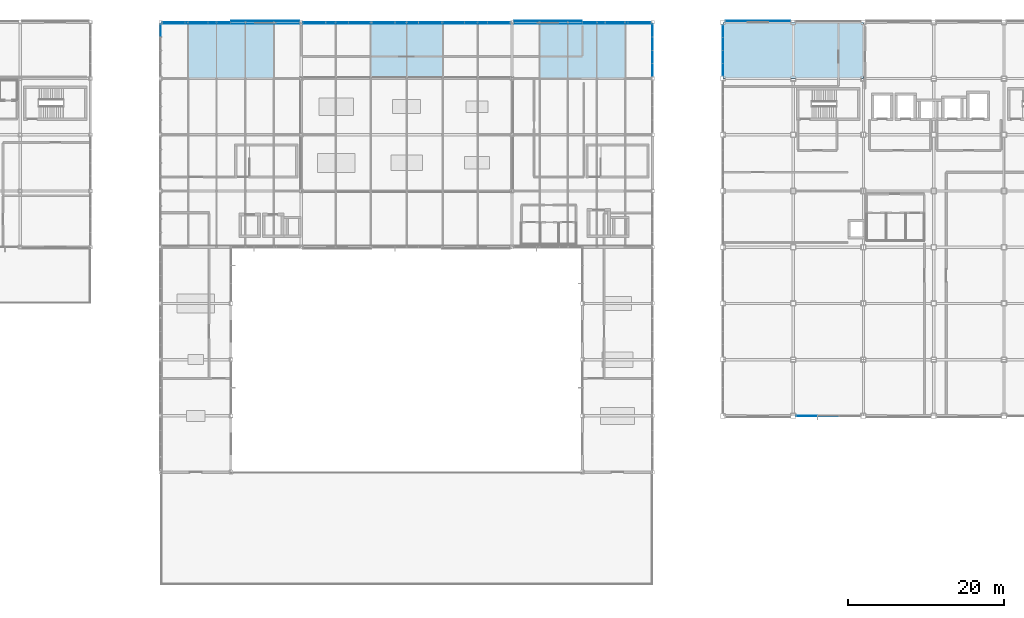
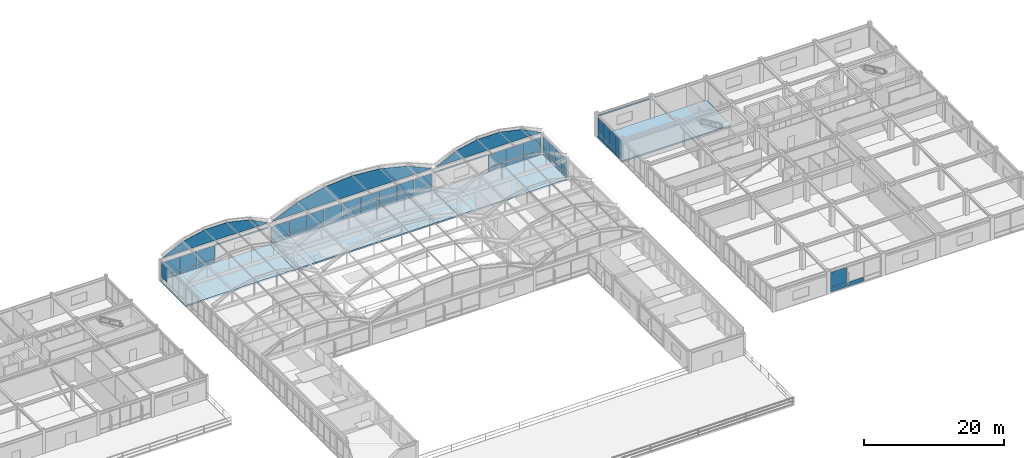
# One storey, part 82 of 106: 56 plates, 4 slabs, 9 elements without a shape of their own.
"""IFC4 building model written with IfcOpenShell, lengths in metres."""

import ifcopenshell
import ifcopenshell.guid

model = None  # the IFC model being written
_history = None  # IfcOwnerHistory: only IFC2X3 demands one
_inside = {}  # id of a spatial element -> (the spatial element, [elements in it])
_under = {}  # id of a project, library or spatial element -> (it, [spatial elements below it])
_declared = {}  # id of a project -> (the project, [libraries it declares])
_typed = {}  # id of a type object -> (the type object, [elements of that type])
_made_of = {}  # id of a material, layer set ... -> (it, [elements and type objects made of it])


def new_model(schema):
    """Start an empty IFC model of exactly this schema.

    Asked for "IFC4X3", IfcOpenShell would pick the latest addendum, in which some entities
    have other attributes; the version numbers below select the first issue.
    IFC2X3 requires an IfcOwnerHistory on every rooted entity: one is made here for all.
    """
    global model, _history
    if schema == "IFC4X3":
        model = ifcopenshell.file(schema_version=(4, 3, 0, 0))
    else:
        model = ifcopenshell.file(schema=schema)
    _inside.clear()
    _under.clear()
    _declared.clear()
    _typed.clear()
    _made_of.clear()
    _history = None
    if model.schema == "IFC2X3":
        org = make("IfcOrganization", Name="unknown")
        user = make(
            "IfcPersonAndOrganization",
            ThePerson=make("IfcPerson", FamilyName="unknown"),
            TheOrganization=org,
        )
        app = make(
            "IfcApplication",
            ApplicationDeveloper=org,
            Version="unknown",
            ApplicationFullName="unknown",
            ApplicationIdentifier="unknown",
        )
        _history = make(
            "IfcOwnerHistory",
            OwningUser=user,
            OwningApplication=app,
            ChangeAction="ADDED",
            CreationDate=0,
        )
    return model


def make(cls, **values):
    """One entity of the class cls with the attributes given. An attribute that is None is left unset."""
    return model.create_entity(
        cls, **{name: value for name, value in values.items() if value is not None}
    )


def rooted(cls, **values):
    """An entity with a GlobalId (a new one), such as an element, a storey or a relation."""
    return make(cls, GlobalId=ifcopenshell.guid.new(), OwnerHistory=_history, **values)


def si_unit(unit_type, name, prefix=None):
    """IfcSIUnit, for example si_unit("LENGTHUNIT", "METRE", prefix="MILLI")."""
    return make("IfcSIUnit", UnitType=unit_type, Prefix=prefix, Name=name)


def assignment(units):
    """IfcUnitAssignment: the units of a project."""
    return None if units is None else make("IfcUnitAssignment", Units=units)


def point(xyz):
    """IfcCartesianPoint."""
    return None if xyz is None else make("IfcCartesianPoint", Coordinates=xyz)


def direction(xyz):
    """IfcDirection."""
    return None if xyz is None else make("IfcDirection", DirectionRatios=xyz)


def frame(location, z_axis=None, x_axis=None):
    """IfcAxis2Placement3D, a coordinate frame: its origin and axes. An axis left out is left unset."""
    return make(
        "IfcAxis2Placement3D",
        Location=point(location),
        Axis=direction(z_axis),
        RefDirection=direction(x_axis),
    )


def frame_2d(location, x_axis=None):
    """IfcAxis2Placement2D, a coordinate frame in the plane: its origin and x axis."""
    return make(
        "IfcAxis2Placement2D", Location=point(location), RefDirection=direction(x_axis)
    )


def origin():
    """The frame at (0, 0, 0) with its axes left unset."""
    return frame((0.0, 0.0, 0.0))


def origin_2d():
    """The frame at (0, 0) in the plane with its x axis left unset."""
    return frame_2d((0.0, 0.0))


def place(relative_to, where):
    """IfcLocalPlacement: puts the frame where relative to a parent placement (None: the world)."""
    return make(
        "IfcLocalPlacement", PlacementRelTo=relative_to, RelativePlacement=where
    )


def context(
    kind, dimensions, precision=None, world=None, true_north=None, identifier=None
):
    """IfcGeometricRepresentationContext, for example the 3D "Model" context."""
    return make(
        "IfcGeometricRepresentationContext",
        ContextIdentifier=identifier,
        ContextType=kind,
        CoordinateSpaceDimension=dimensions,
        Precision=precision,
        WorldCoordinateSystem=world,
        TrueNorth=true_north,
    )


def subcontext(parent, identifier, kind, view, scale=None):
    """IfcGeometricRepresentationSubContext, for example "Body" below "Model"."""
    return make(
        "IfcGeometricRepresentationSubContext",
        ContextIdentifier=identifier,
        ContextType=kind,
        ParentContext=parent,
        TargetScale=scale,
        TargetView=view,
    )


def project(units=None, contexts=None):
    """IfcProject with its units and contexts."""
    return rooted(
        "IfcProject",
        Name="project",
        RepresentationContexts=contexts,
        UnitsInContext=assignment(units),
    )


def spatial(cls, under=None, at=None, **own):
    """A site, building, storey or space (cls), placed at a placement, below another one or the project."""
    s = rooted(cls, ObjectPlacement=at, **own)
    if under is not None:
        _under.setdefault(under.id(), (under, []))[1].append(s)
    return s


def polyline(points):
    """IfcPolyline through the points."""
    return make("IfcPolyline", Points=[point(p) for p in points])


def profile(cls, at=None, kind="AREA", **sizes):
    """A parametric profile (cls). Its sizes go by their IFC names, for example OverallWidth=200.0."""
    return make(cls, ProfileType=kind, Position=at, **sizes)


def rectangle(**sizes):
    """IfcRectangleProfileDef."""
    return profile("IfcRectangleProfileDef", **sizes)


def outline(outer, holes=None, kind="AREA"):
    """IfcArbitraryClosedProfileDef: a profile drawn as a closed curve; with holes, ...WithVoids."""
    if holes is None:
        return make("IfcArbitraryClosedProfileDef", ProfileType=kind, OuterCurve=outer)
    return make(
        "IfcArbitraryProfileDefWithVoids",
        ProfileType=kind,
        OuterCurve=outer,
        InnerCurves=holes,
    )


def extrude(swept, where, along, depth):
    """IfcExtrudedAreaSolid: the profile swept, set in the frame where, extruded along a direction by depth."""
    return make(
        "IfcExtrudedAreaSolid",
        SweptArea=swept,
        Position=where,
        ExtrudedDirection=direction(along),
        Depth=depth,
    )


def shape(context_of_items, identifier, shape_type, items):
    """IfcShapeRepresentation: the items that make up one representation, for example the "Body"."""
    return make(
        "IfcShapeRepresentation",
        ContextOfItems=context_of_items,
        RepresentationIdentifier=identifier,
        RepresentationType=shape_type,
        Items=items,
    )


def material(Name=None, Category=None):
    """IfcMaterial."""
    return make("IfcMaterial", Name=Name, Category=Category)


def layer(
    of_material, thickness, ventilated=None, Name=None, Category=None, Priority=None
):
    """IfcMaterialLayer: one layer of a wall or slab, of a material (None: an air gap)."""
    return make(
        "IfcMaterialLayer",
        Material=of_material,
        LayerThickness=thickness,
        IsVentilated=ventilated,
        Name=Name,
        Category=Category,
        Priority=Priority,
    )


def layer_set(layers, Name=None):
    """IfcMaterialLayerSet."""
    return make("IfcMaterialLayerSet", MaterialLayers=layers, LayerSetName=Name)


def made_of(thing, what):
    """Note that an element or type object is made of a material, layer set ...; save() writes the relation."""
    if what is not None:
        _made_of.setdefault(what.id(), (what, []))[1].append(thing)
    return thing


def type_object(cls, material=None, **own):
    """A type object (cls), such as IfcWallType, which elements share."""
    return made_of(rooted(cls, **own), material)


def element(
    cls,
    number,
    at=None,
    inside=None,
    cuts=None,
    type_object=None,
    material=None,
    context=None,
    identifier="Body",
    shape_type=None,
    held_by="IfcProductDefinitionShape",
    body=None,
    shapes=None,
    **own,
):
    """One element of the class cls, such as IfcWall. Its Tag is "e" and its number.

    at: its placement. inside: the storey or other place that contains it. cuts: it is an
    opening in that element (IfcRelVoidsElement). A single representation is given by context,
    identifier, shape_type and body (its items); several are given by shapes. held_by: the class
    of the entity that holds the representations. save() writes the other relations.
    """
    e = rooted(cls, Tag="e%d" % number, ObjectPlacement=at, **own)
    if body is not None:
        shapes = [shape(context, identifier, shape_type, body)]
    if shapes is not None:
        e.Representation = make(held_by, Representations=shapes)
    if inside is not None:
        _inside.setdefault(inside.id(), (inside, []))[1].append(e)
    if cuts is not None:
        rooted(
            "IfcRelVoidsElement", RelatingBuildingElement=cuts, RelatedOpeningElement=e
        )
    if type_object is not None:
        _typed.setdefault(type_object.id(), (type_object, []))[1].append(e)
    return made_of(e, material)


def aggregate(whole, parts):
    """IfcRelAggregates: a whole, such as a stair, and the parts it consists of."""
    return rooted("IfcRelAggregates", RelatingObject=whole, RelatedObjects=parts)


def save(model, path):
    """Write the relations noted so far, then the file.

    IfcRelAggregates (storeys below a building ...), IfcRelContainedInSpatialStructure (elements
    in a storey), IfcRelDefinesByType, IfcRelAssociatesMaterial and IfcRelDeclares: one each for
    every whole, place, type object, material and project.
    """
    for whole, parts in _under.values():
        aggregate(whole, parts)
    for where, things in _inside.values():
        rooted(
            "IfcRelContainedInSpatialStructure",
            RelatedElements=things,
            RelatingStructure=where,
        )
    for kind, things in _typed.values():
        rooted("IfcRelDefinesByType", RelatedObjects=things, RelatingType=kind)
    for what, things in _made_of.values():
        rooted("IfcRelAssociatesMaterial", RelatedObjects=things, RelatingMaterial=what)
    for by, libraries in _declared.values():
        rooted("IfcRelDeclares", RelatingContext=by, RelatedDefinitions=libraries)
    model.write(path)


model = new_model("IFC4")

# Units and contexts
model_context = context("Model", 3, precision=1e-05, world=origin(), true_north=direction((0.0, 1.0)))
body_context = subcontext(model_context, "Body", "Model", "MODEL_VIEW")
ifc_project = project(units=[si_unit("LENGTHUNIT", "METRE"), si_unit("AREAUNIT", "SQUARE_METRE"), si_unit("VOLUMEUNIT", "CUBIC_METRE"), si_unit("PLANEANGLEUNIT", "RADIAN"), si_unit("MASSUNIT", "GRAM", prefix="KILO")], contexts=[model_context])

# Site, building, storey
site_placement = place(None, origin())
site = spatial("IfcSite", under=ifc_project, at=site_placement, CompositionType="ELEMENT")
building_placement = place(site_placement, origin())
building = spatial("IfcBuilding", under=site, at=building_placement, Name="Kazanami Central Library", CompositionType="ELEMENT")
storey_placement = place(building_placement, frame((0.0, 0.0, 12.800048828125)))
storey = spatial("IfcBuildingStorey", under=building, at=storey_placement, Name="L04", CompositionType="ELEMENT", Elevation=12.800048828125)

# Plates
ifc_material_1 = material(Name="Acid-Etched Low-E Laminated Glass", Category="glass")
ifc_layer_1 = layer(ifc_material_1, 0.028076171875, Name="Acid-Etched Low-E Laminated Glass")
ifc_layer_set_1 = layer_set([ifc_layer_1], Name="Acid-Etched Low-E Laminated Glass")
plate_type_1 = type_object("IfcPlateType", Name="PLT-BVG-28", PredefinedType="SHEET", material=ifc_layer_set_1)
plate_1_placement = place(storey_placement, frame((45.25, 93.409912109375, 4.0), z_axis=(0.0, -1.0, 0.0), x_axis=(1.0, 0.0, 0.0)))
element("IfcPlate", 1, at=plate_1_placement, inside=storey, type_object=plate_type_1, Name="Glazed Barrel Vault Gable Tympanum VAULT-WEST (North)", PredefinedType="SHEET", context=body_context, shape_type="SweptSolid", body=[
    extrude(outline(polyline([(0.0, 0.0), (17.5, 0.0), (14.172119140625, 1.65380859375), (10.58642578125, 2.449462890625), (6.91357421875, 2.449462890625), (3.327880859375, 1.65380859375), (0.0, 0.0)])), origin(), (0.0, 0.0, -1.0), 0.028076171875),
])
plate_2_placement = place(storey_placement, frame((63.25, 93.409912109375, 4.0), z_axis=(0.0, -1.0, 0.0), x_axis=(1.0, 0.0, 0.0)))
element("IfcPlate", 2, at=plate_2_placement, inside=storey, type_object=plate_type_1, Name="Glazed Barrel Vault Gable Tympanum VAULT-MAIN (North)", PredefinedType="SHEET", context=body_context, shape_type="SweptSolid", body=[
    extrude(outline(polyline([(0.0, 0.0), (26.5, 0.0), (22.27685546875, 1.889892578125), (17.822021484375, 2.982666015625), (13.25, 3.349853515625), (8.677978515625, 2.982666015625), (4.22314453125, 1.889892578125), (0.0, 0.0)])), origin(), (0.0, 0.0, -1.0), 0.028076171875),
])
plate_3_placement = place(storey_placement, frame((90.25, 93.409912109375, 4.0), z_axis=(0.0, -1.0, 0.0), x_axis=(1.0, 0.0, 0.0)))
element("IfcPlate", 3, at=plate_3_placement, inside=storey, type_object=plate_type_1, Name="Glazed Barrel Vault Gable Tympanum VAULT-EAST (North)", PredefinedType="SHEET", context=body_context, shape_type="SweptSolid", body=[
    extrude(outline(polyline([(0.0, 0.0), (17.5, 0.0), (14.172119140625, 1.65380859375), (10.58642578125, 2.449462890625), (6.91357421875, 2.449462890625), (3.327880859375, 1.65380859375), (0.0, 0.0)])), origin(), (0.0, 0.0, -1.0), 0.028076171875),
])

# Curtain wall, plate
curtain_wall_type_1 = type_object("IfcCurtainWallType", Name="CW-8350x3525-M275", PredefinedType="USERDEFINED", material=ifc_material_1)
curtain_wall_1_placement = place(storey_placement, origin())
curtain_wall_1 = element("IfcCurtainWall", 4, at=curtain_wall_1_placement, inside=storey, type_object=curtain_wall_type_1, Name="Unitised Curtain Wall CW-37 L04 S-G-14", ObjectType="UNITISED CURTAIN WALL", PredefinedType="USERDEFINED")
ifc_layer_2 = layer(ifc_material_1, 0.035888671875, Name="Acid-Etched Low-E Laminated Glass")
ifc_layer_set_2 = layer_set([ifc_layer_2], Name="Acid-Etched Low-E Laminated Glass")
plate_type_2 = type_object("IfcPlateType", Name="PLT-CW-P1", PredefinedType="CURTAIN_PANEL", material=ifc_layer_set_2)
plate_4_placement = place(storey_placement, frame((127.73291015625, 43.199951171875, 0.8125), z_axis=(0.0, 0.0, 1.0), x_axis=(1.0, 0.0, 0.0)))
plate_4 = element("IfcPlate", 5, at=plate_4_placement, type_object=plate_type_2, Name="CW-37 panel 1.2", PredefinedType="CURTAIN_PANEL", context=body_context, shape_type="SweptSolid", body=[
    extrude(rectangle(XDim=2.685791015625, YDim=0.035888671875, at=origin_2d()), origin(), (0.0, 0.0, 1.0), 2.6474609375),
])

# Curtain wall, plates
curtain_wall_type_2 = type_object("IfcCurtainWallType", Name="CW-9000x3080-M275", PredefinedType="USERDEFINED", material=ifc_material_1)
curtain_wall_2_placement = place(storey_placement, origin())
curtain_wall_2 = element("IfcCurtainWall", 6, at=curtain_wall_2_placement, inside=storey, type_object=curtain_wall_type_2, Name="Unitised Curtain Wall CW-41 L04 N-O-08", ObjectType="UNITISED CURTAIN WALL", PredefinedType="USERDEFINED")
plate_5_placement = place(storey_placement, frame((79.482421875, 93.60009765625, 0.81494140625), z_axis=(0.0, 0.0, 1.0), x_axis=(-1.0, 0.0, 0.0)))
plate_5 = element("IfcPlate", 7, at=plate_5_placement, type_object=plate_type_2, Name="CW-41 panel 1.2", PredefinedType="CURTAIN_PANEL", context=body_context, shape_type="SweptSolid", body=[
    extrude(rectangle(XDim=2.89501953125, YDim=0.035888671875, at=origin_2d()), origin(), (0.0, 0.0, 1.0), 2.195068359375),
])
plate_6_placement = place(storey_placement, frame((76.5, 93.60009765625, 0.81494140625), z_axis=(0.0, 0.0, 1.0), x_axis=(-1.0, 0.0, 0.0)))
plate_6 = element("IfcPlate", 8, at=plate_6_placement, type_object=plate_type_2, Name="CW-41 panel 2.2", PredefinedType="CURTAIN_PANEL", context=body_context, shape_type="SweptSolid", body=[
    extrude(rectangle(XDim=2.929931640625, YDim=0.035888671875, at=origin_2d()), origin(), (0.0, 0.0, 1.0), 2.195068359375),
])
plate_7_placement = place(storey_placement, frame((73.517578125, 93.60009765625, 0.81494140625), z_axis=(0.0, 0.0, 1.0), x_axis=(-1.0, 0.0, 0.0)))
plate_7 = element("IfcPlate", 9, at=plate_7_placement, type_object=plate_type_2, Name="CW-41 panel 3.2", PredefinedType="CURTAIN_PANEL", context=body_context, shape_type="SweptSolid", body=[
    extrude(rectangle(XDim=2.89501953125, YDim=0.035888671875, at=origin_2d()), origin(), (0.0, 0.0, 1.0), 2.195068359375),
])

curtain_wall_type_3 = type_object("IfcCurtainWallType", Name="CW-8800x3080-M275", PredefinedType="USERDEFINED", material=ifc_material_1)
curtain_wall_3_placement = place(storey_placement, origin())
curtain_wall_3 = element("IfcCurtainWall", 10, at=curtain_wall_3_placement, inside=storey, type_object=curtain_wall_type_3, Name="Unitised Curtain Wall CW-42 L04 N-O-05", ObjectType="UNITISED CURTAIN WALL", PredefinedType="USERDEFINED")
ifc_layer_3 = layer(ifc_material_1, 0.0439453125, Name="Acid-Etched Low-E Laminated Glass")
ifc_layer_set_3 = layer_set([ifc_layer_3], Name="Acid-Etched Low-E Laminated Glass")
plate_type_3 = type_object("IfcPlateType", Name="PLT-CW-P2", PredefinedType="CURTAIN_PANEL", material=ifc_layer_set_3)
plate_8_placement = place(storey_placement, frame((52.515869140625, 93.60009765625, 0.81494140625), z_axis=(0.0, 0.0, 1.0), x_axis=(-1.0, 0.0, 0.0)))
plate_8 = element("IfcPlate", 11, at=plate_8_placement, type_object=plate_type_3, Name="CW-42 panel 1.2", PredefinedType="CURTAIN_PANEL", context=body_context, shape_type="SweptSolid", body=[
    extrude(rectangle(XDim=2.828369140625, YDim=0.0439453125, at=origin_2d()), origin(), (0.0, 0.0, 1.0), 2.195068359375),
])
plate_9_placement = place(storey_placement, frame((49.60009765625, 93.60009765625, 0.81494140625), z_axis=(0.0, 0.0, 1.0), x_axis=(-1.0, 0.0, 0.0)))
plate_9 = element("IfcPlate", 12, at=plate_9_placement, type_object=plate_type_3, Name="CW-42 panel 2.2", PredefinedType="CURTAIN_PANEL", context=body_context, shape_type="SweptSolid", body=[
    extrude(rectangle(XDim=2.86328125, YDim=0.0439453125, at=origin_2d()), origin(), (0.0, 0.0, 1.0), 2.195068359375),
])
plate_10_placement = place(storey_placement, frame((46.68408203125, 93.60009765625, 0.81494140625), z_axis=(0.0, 0.0, 1.0), x_axis=(-1.0, 0.0, 0.0)))
plate_10 = element("IfcPlate", 13, at=plate_10_placement, type_object=plate_type_3, Name="CW-42 panel 3.2", PredefinedType="CURTAIN_PANEL", context=body_context, shape_type="SweptSolid", body=[
    extrude(rectangle(XDim=2.828369140625, YDim=0.0439453125, at=origin_2d()), origin(), (0.0, 0.0, 1.0), 2.195068359375),
])

curtain_wall_4_placement = place(storey_placement, origin())
curtain_wall_4 = element("IfcCurtainWall", 14, at=curtain_wall_4_placement, inside=storey, type_object=curtain_wall_type_3, Name="Unitised Curtain Wall CW-42 L04 N-O-07", ObjectType="UNITISED CURTAIN WALL", PredefinedType="USERDEFINED")
plate_11_placement = place(storey_placement, frame((70.515869140625, 93.60009765625, 0.81494140625), z_axis=(0.0, 0.0, 1.0), x_axis=(-1.0, 0.0, 0.0)))
plate_11 = element("IfcPlate", 15, at=plate_11_placement, type_object=plate_type_3, Name="CW-42 panel 1.2", PredefinedType="CURTAIN_PANEL", context=body_context, shape_type="SweptSolid", body=[
    extrude(rectangle(XDim=2.828369140625, YDim=0.0439453125, at=origin_2d()), origin(), (0.0, 0.0, 1.0), 2.195068359375),
])
plate_12_placement = place(storey_placement, frame((67.60009765625, 93.60009765625, 0.81494140625), z_axis=(0.0, 0.0, 1.0), x_axis=(-1.0, 0.0, 0.0)))
plate_12 = element("IfcPlate", 16, at=plate_12_placement, type_object=plate_type_3, Name="CW-42 panel 2.2", PredefinedType="CURTAIN_PANEL", context=body_context, shape_type="SweptSolid", body=[
    extrude(rectangle(XDim=2.86328125, YDim=0.0439453125, at=origin_2d()), origin(), (0.0, 0.0, 1.0), 2.195068359375),
])
plate_13_placement = place(storey_placement, frame((64.68408203125, 93.60009765625, 0.81494140625), z_axis=(0.0, 0.0, 1.0), x_axis=(-1.0, 0.0, 0.0)))
plate_13 = element("IfcPlate", 17, at=plate_13_placement, type_object=plate_type_3, Name="CW-42 panel 3.2", PredefinedType="CURTAIN_PANEL", context=body_context, shape_type="SweptSolid", body=[
    extrude(rectangle(XDim=2.828369140625, YDim=0.0439453125, at=origin_2d()), origin(), (0.0, 0.0, 1.0), 2.195068359375),
])

curtain_wall_5_placement = place(storey_placement, origin())
curtain_wall_5 = element("IfcCurtainWall", 18, at=curtain_wall_5_placement, inside=storey, type_object=curtain_wall_type_3, Name="Unitised Curtain Wall CW-42 L04 N-O-09", ObjectType="UNITISED CURTAIN WALL", PredefinedType="USERDEFINED")
plate_14_placement = place(storey_placement, frame((88.31591796875, 93.60009765625, 0.81494140625), z_axis=(0.0, 0.0, 1.0), x_axis=(-1.0, 0.0, 0.0)))
plate_14 = element("IfcPlate", 19, at=plate_14_placement, type_object=plate_type_3, Name="CW-42 panel 1.2", PredefinedType="CURTAIN_PANEL", context=body_context, shape_type="SweptSolid", body=[
    extrude(rectangle(XDim=2.828369140625, YDim=0.0439453125, at=origin_2d()), origin(), (0.0, 0.0, 1.0), 2.195068359375),
])
plate_15_placement = place(storey_placement, frame((85.39990234375, 93.60009765625, 0.81494140625), z_axis=(0.0, 0.0, 1.0), x_axis=(-1.0, 0.0, 0.0)))
plate_15 = element("IfcPlate", 20, at=plate_15_placement, type_object=plate_type_3, Name="CW-42 panel 2.2", PredefinedType="CURTAIN_PANEL", context=body_context, shape_type="SweptSolid", body=[
    extrude(rectangle(XDim=2.86328125, YDim=0.0439453125, at=origin_2d()), origin(), (0.0, 0.0, 1.0), 2.195068359375),
])
plate_16_placement = place(storey_placement, frame((82.484130859375, 93.60009765625, 0.81494140625), z_axis=(0.0, 0.0, 1.0), x_axis=(-1.0, 0.0, 0.0)))
plate_16 = element("IfcPlate", 21, at=plate_16_placement, type_object=plate_type_3, Name="CW-42 panel 3.2", PredefinedType="CURTAIN_PANEL", context=body_context, shape_type="SweptSolid", body=[
    extrude(rectangle(XDim=2.828369140625, YDim=0.0439453125, at=origin_2d()), origin(), (0.0, 0.0, 1.0), 2.195068359375),
])

curtain_wall_6_placement = place(storey_placement, origin())
curtain_wall_6 = element("IfcCurtainWall", 22, at=curtain_wall_6_placement, inside=storey, type_object=curtain_wall_type_3, Name="Unitised Curtain Wall CW-42 L04 N-O-11", ObjectType="UNITISED CURTAIN WALL", PredefinedType="USERDEFINED")
plate_17_placement = place(storey_placement, frame((106.31591796875, 93.60009765625, 0.81494140625), z_axis=(0.0, 0.0, 1.0), x_axis=(-1.0, 0.0, 0.0)))
plate_17 = element("IfcPlate", 23, at=plate_17_placement, type_object=plate_type_3, Name="CW-42 panel 1.2", PredefinedType="CURTAIN_PANEL", context=body_context, shape_type="SweptSolid", body=[
    extrude(rectangle(XDim=2.828369140625, YDim=0.0439453125, at=origin_2d()), origin(), (0.0, 0.0, 1.0), 2.195068359375),
])
plate_18_placement = place(storey_placement, frame((103.39990234375, 93.60009765625, 0.81494140625), z_axis=(0.0, 0.0, 1.0), x_axis=(-1.0, 0.0, 0.0)))
plate_18 = element("IfcPlate", 24, at=plate_18_placement, type_object=plate_type_3, Name="CW-42 panel 2.2", PredefinedType="CURTAIN_PANEL", context=body_context, shape_type="SweptSolid", body=[
    extrude(rectangle(XDim=2.86328125, YDim=0.0439453125, at=origin_2d()), origin(), (0.0, 0.0, 1.0), 2.195068359375),
])
plate_19_placement = place(storey_placement, frame((100.484130859375, 93.60009765625, 0.81494140625), z_axis=(0.0, 0.0, 1.0), x_axis=(-1.0, 0.0, 0.0)))
plate_19 = element("IfcPlate", 25, at=plate_19_placement, type_object=plate_type_3, Name="CW-42 panel 3.2", PredefinedType="CURTAIN_PANEL", context=body_context, shape_type="SweptSolid", body=[
    extrude(rectangle(XDim=2.828369140625, YDim=0.0439453125, at=origin_2d()), origin(), (0.0, 0.0, 1.0), 2.195068359375),
])

# Curtain wall, plate
curtain_wall_type_4 = type_object("IfcCurtainWallType", Name="CW-6800x3330-M180", PredefinedType="USERDEFINED", material=ifc_material_1)
curtain_wall_7_placement = place(storey_placement, origin())
curtain_wall_7 = element("IfcCurtainWall", 26, at=curtain_wall_7_placement, inside=storey, type_object=curtain_wall_type_4, Name="Covered Link Bridge Curtain Wall CW-44 L04 W-6-12", ObjectType="UNITISED CURTAIN WALL", PredefinedType="USERDEFINED")
ifc_material_2 = material(Name="Low-E Insulated Triple Glass", Category="glass")
ifc_layer_4 = layer(ifc_material_2, 0.0400390625, Name="Low-E Insulated Triple Glass")
ifc_layer_set_4 = layer_set([ifc_layer_4], Name="Low-E Insulated Triple Glass")
plate_type_4 = type_object("IfcPlateType", Name="PLT-CW-P3", PredefinedType="CURTAIN_PANEL", material=ifc_layer_set_4)
plate_20_placement = place(storey_placement, frame((45.0, 92.532470703125, 0.81494140625), z_axis=(0.0, 0.0, 1.0), x_axis=(0.0, 1.0, 0.0)))
plate_20 = element("IfcPlate", 27, at=plate_20_placement, type_object=plate_type_4, Name="CW-44 panel 4.2", PredefinedType="CURTAIN_PANEL", context=body_context, shape_type="SweptSolid", body=[
    extrude(rectangle(XDim=1.594970703125, YDim=0.0400390625, at=origin_2d()), origin(), (0.0, 0.0, 1.0), 2.445068359375),
])
aggregate(curtain_wall_7, [plate_20])

# Curtain wall, plates
curtain_wall_8_placement = place(storey_placement, origin())
curtain_wall_8 = element("IfcCurtainWall", 28, at=curtain_wall_8_placement, inside=storey, type_object=curtain_wall_type_4, Name="Covered Link Bridge Curtain Wall CW-44 L04 E-13-12", ObjectType="UNITISED CURTAIN WALL", PredefinedType="USERDEFINED")
plate_21_placement = place(storey_placement, frame((108.0, 92.532470703125, 0.81494140625), z_axis=(0.0, 0.0, 1.0), x_axis=(0.0, -1.0, 0.0)))
plate_21 = element("IfcPlate", 29, at=plate_21_placement, type_object=plate_type_4, Name="CW-44 panel 1.2", PredefinedType="CURTAIN_PANEL", context=body_context, shape_type="SweptSolid", body=[
    extrude(rectangle(XDim=1.594970703125, YDim=0.0400390625, at=origin_2d()), origin(), (0.0, 0.0, 1.0), 2.445068359375),
])
plate_22_placement = place(storey_placement, frame((108.0, 90.85009765625, 0.81494140625), z_axis=(0.0, 0.0, 1.0), x_axis=(0.0, -1.0, 0.0)))
plate_22 = element("IfcPlate", 30, at=plate_22_placement, type_object=plate_type_4, Name="CW-44 panel 2.2", PredefinedType="CURTAIN_PANEL", context=body_context, shape_type="SweptSolid", body=[
    extrude(rectangle(XDim=1.6298828125, YDim=0.0400390625, at=origin_2d()), origin(), (0.0, 0.0, 1.0), 2.445068359375),
])
plate_23_placement = place(storey_placement, frame((108.0, 89.14990234375, 0.81494140625), z_axis=(0.0, 0.0, 1.0), x_axis=(0.0, -1.0, 0.0)))
plate_23 = element("IfcPlate", 31, at=plate_23_placement, type_object=plate_type_4, Name="CW-44 panel 3.2", PredefinedType="CURTAIN_PANEL", context=body_context, shape_type="SweptSolid", body=[
    extrude(rectangle(XDim=1.6298828125, YDim=0.0400390625, at=origin_2d()), origin(), (0.0, 0.0, 1.0), 2.445068359375),
])
plate_24_placement = place(storey_placement, frame((108.0, 87.467529296875, 0.81494140625), z_axis=(0.0, 0.0, 1.0), x_axis=(0.0, -1.0, 0.0)))
plate_24 = element("IfcPlate", 32, at=plate_24_placement, type_object=plate_type_4, Name="CW-44 panel 4.2", PredefinedType="CURTAIN_PANEL", context=body_context, shape_type="SweptSolid", body=[
    extrude(rectangle(XDim=1.594970703125, YDim=0.0400390625, at=origin_2d()), origin(), (0.0, 0.0, 1.0), 2.445068359375),
])

curtain_wall_type_5 = type_object("IfcCurtainWallType", Name="CW-6600x3490-M180", PredefinedType="USERDEFINED", material=ifc_material_1)
curtain_wall_9_placement = place(storey_placement, origin())
curtain_wall_9 = element("IfcCurtainWall", 33, at=curtain_wall_9_placement, inside=storey, type_object=curtain_wall_type_5, Name="Covered Link Bridge Curtain Wall CW-48 L04 W-14-12", ObjectType="UNITISED CURTAIN WALL", PredefinedType="USERDEFINED")
plate_25_placement = place(storey_placement, frame((117.0, 87.5400390625, 0.809814453125), z_axis=(0.0, 0.0, 1.0), x_axis=(0.0, 1.0, 0.0)))
plate_25 = element("IfcPlate", 34, at=plate_25_placement, type_object=plate_type_4, Name="CW-48 panel 1.2", PredefinedType="CURTAIN_PANEL", context=body_context, shape_type="SweptSolid", body=[
    extrude(rectangle(XDim=1.56005859375, YDim=0.0400390625, at=origin_2d()), origin(), (0.0, 0.0, 1.0), 2.6201171875),
])
plate_26_placement = place(storey_placement, frame((117.0, 89.175048828125, 0.809814453125), z_axis=(0.0, 0.0, 1.0), x_axis=(0.0, 1.0, 0.0)))
plate_26 = element("IfcPlate", 35, at=plate_26_placement, type_object=plate_type_4, Name="CW-48 panel 2.2", PredefinedType="CURTAIN_PANEL", context=body_context, shape_type="SweptSolid", body=[
    extrude(rectangle(XDim=1.590087890625, YDim=0.0400390625, at=origin_2d()), origin(), (0.0, 0.0, 1.0), 2.6201171875),
])
plate_27_placement = place(storey_placement, frame((117.0, 90.824951171875, 0.809814453125), z_axis=(0.0, 0.0, 1.0), x_axis=(0.0, 1.0, 0.0)))
plate_27 = element("IfcPlate", 36, at=plate_27_placement, type_object=plate_type_4, Name="CW-48 panel 3.2", PredefinedType="CURTAIN_PANEL", context=body_context, shape_type="SweptSolid", body=[
    extrude(rectangle(XDim=1.590087890625, YDim=0.0400390625, at=origin_2d()), origin(), (0.0, 0.0, 1.0), 2.6201171875),
])
plate_28_placement = place(storey_placement, frame((117.0, 92.4599609375, 0.809814453125), z_axis=(0.0, 0.0, 1.0), x_axis=(0.0, 1.0, 0.0)))
plate_28 = element("IfcPlate", 37, at=plate_28_placement, type_object=plate_type_4, Name="CW-48 panel 4.2", PredefinedType="CURTAIN_PANEL", context=body_context, shape_type="SweptSolid", body=[
    extrude(rectangle(XDim=1.56005859375, YDim=0.0400390625, at=origin_2d()), origin(), (0.0, 0.0, 1.0), 2.6201171875),
])

# Plate
ifc_material_3 = material(Name="Anodised Aluminium A5052-H32", Category="aluminium")
ifc_layer_5 = layer(ifc_material_3, 0.06005859375, Name="Anodised Aluminium A5052-H32")
ifc_layer_set_5 = layer_set([ifc_layer_5], Name="Anodised Aluminium A5052-H32")
plate_type_5 = type_object("IfcPlateType", Name="PLT-CW-SP1", PredefinedType="CURTAIN_PANEL", material=ifc_layer_set_5)
plate_29_placement = place(storey_placement, frame((52.515869140625, 93.60009765625, 0.06982421875), z_axis=(0.0, 0.0, 1.0), x_axis=(-1.0, 0.0, 0.0)))
plate_29 = element("IfcPlate", 38, at=plate_29_placement, type_object=plate_type_5, Name="CW-42 panel 1.1", PredefinedType="CURTAIN_PANEL", context=body_context, shape_type="SweptSolid", body=[
    extrude(rectangle(XDim=2.828369140625, YDim=0.06005859375, at=origin_2d()), origin(), (0.0, 0.0, 1.0), 0.675048828125),
])

plate_30_placement = place(storey_placement, frame((49.60009765625, 93.60009765625, 0.06982421875), z_axis=(0.0, 0.0, 1.0), x_axis=(-1.0, 0.0, 0.0)))
plate_30 = element("IfcPlate", 39, at=plate_30_placement, type_object=plate_type_5, Name="CW-42 panel 2.1", PredefinedType="CURTAIN_PANEL", context=body_context, shape_type="SweptSolid", body=[
    extrude(rectangle(XDim=2.86328125, YDim=0.06005859375, at=origin_2d()), origin(), (0.0, 0.0, 1.0), 0.675048828125),
])

plate_31_placement = place(storey_placement, frame((46.68408203125, 93.60009765625, 0.06982421875), z_axis=(0.0, 0.0, 1.0), x_axis=(-1.0, 0.0, 0.0)))
plate_31 = element("IfcPlate", 40, at=plate_31_placement, type_object=plate_type_5, Name="CW-42 panel 3.1", PredefinedType="CURTAIN_PANEL", context=body_context, shape_type="SweptSolid", body=[
    extrude(rectangle(XDim=2.828369140625, YDim=0.06005859375, at=origin_2d()), origin(), (0.0, 0.0, 1.0), 0.675048828125),
])

aggregate(curtain_wall_3, [plate_29, plate_8, plate_30, plate_9, plate_31, plate_10])

plate_32_placement = place(storey_placement, frame((70.515869140625, 93.60009765625, 0.06982421875), z_axis=(0.0, 0.0, 1.0), x_axis=(-1.0, 0.0, 0.0)))
plate_32 = element("IfcPlate", 41, at=plate_32_placement, type_object=plate_type_5, Name="CW-42 panel 1.1", PredefinedType="CURTAIN_PANEL", context=body_context, shape_type="SweptSolid", body=[
    extrude(rectangle(XDim=2.828369140625, YDim=0.06005859375, at=origin_2d()), origin(), (0.0, 0.0, 1.0), 0.675048828125),
])

plate_33_placement = place(storey_placement, frame((67.60009765625, 93.60009765625, 0.06982421875), z_axis=(0.0, 0.0, 1.0), x_axis=(-1.0, 0.0, 0.0)))
plate_33 = element("IfcPlate", 42, at=plate_33_placement, type_object=plate_type_5, Name="CW-42 panel 2.1", PredefinedType="CURTAIN_PANEL", context=body_context, shape_type="SweptSolid", body=[
    extrude(rectangle(XDim=2.86328125, YDim=0.06005859375, at=origin_2d()), origin(), (0.0, 0.0, 1.0), 0.675048828125),
])

plate_34_placement = place(storey_placement, frame((64.68408203125, 93.60009765625, 0.06982421875), z_axis=(0.0, 0.0, 1.0), x_axis=(-1.0, 0.0, 0.0)))
plate_34 = element("IfcPlate", 43, at=plate_34_placement, type_object=plate_type_5, Name="CW-42 panel 3.1", PredefinedType="CURTAIN_PANEL", context=body_context, shape_type="SweptSolid", body=[
    extrude(rectangle(XDim=2.828369140625, YDim=0.06005859375, at=origin_2d()), origin(), (0.0, 0.0, 1.0), 0.675048828125),
])

aggregate(curtain_wall_4, [plate_32, plate_11, plate_33, plate_12, plate_34, plate_13])

plate_35_placement = place(storey_placement, frame((79.482421875, 93.60009765625, 0.06982421875), z_axis=(0.0, 0.0, 1.0), x_axis=(-1.0, 0.0, 0.0)))
plate_35 = element("IfcPlate", 44, at=plate_35_placement, type_object=plate_type_5, Name="CW-41 panel 1.1", PredefinedType="CURTAIN_PANEL", context=body_context, shape_type="SweptSolid", body=[
    extrude(rectangle(XDim=2.89501953125, YDim=0.06005859375, at=origin_2d()), origin(), (0.0, 0.0, 1.0), 0.675048828125),
])

plate_36_placement = place(storey_placement, frame((76.5, 93.60009765625, 0.06982421875), z_axis=(0.0, 0.0, 1.0), x_axis=(-1.0, 0.0, 0.0)))
plate_36 = element("IfcPlate", 45, at=plate_36_placement, type_object=plate_type_5, Name="CW-41 panel 2.1", PredefinedType="CURTAIN_PANEL", context=body_context, shape_type="SweptSolid", body=[
    extrude(rectangle(XDim=2.929931640625, YDim=0.06005859375, at=origin_2d()), origin(), (0.0, 0.0, 1.0), 0.675048828125),
])

plate_37_placement = place(storey_placement, frame((73.517578125, 93.60009765625, 0.06982421875), z_axis=(0.0, 0.0, 1.0), x_axis=(-1.0, 0.0, 0.0)))
plate_37 = element("IfcPlate", 46, at=plate_37_placement, type_object=plate_type_5, Name="CW-41 panel 3.1", PredefinedType="CURTAIN_PANEL", context=body_context, shape_type="SweptSolid", body=[
    extrude(rectangle(XDim=2.89501953125, YDim=0.06005859375, at=origin_2d()), origin(), (0.0, 0.0, 1.0), 0.675048828125),
])

aggregate(curtain_wall_2, [plate_35, plate_5, plate_36, plate_6, plate_37, plate_7])

plate_38_placement = place(storey_placement, frame((88.31591796875, 93.60009765625, 0.06982421875), z_axis=(0.0, 0.0, 1.0), x_axis=(-1.0, 0.0, 0.0)))
plate_38 = element("IfcPlate", 47, at=plate_38_placement, type_object=plate_type_5, Name="CW-42 panel 1.1", PredefinedType="CURTAIN_PANEL", context=body_context, shape_type="SweptSolid", body=[
    extrude(rectangle(XDim=2.828369140625, YDim=0.06005859375, at=origin_2d()), origin(), (0.0, 0.0, 1.0), 0.675048828125),
])

plate_39_placement = place(storey_placement, frame((85.39990234375, 93.60009765625, 0.06982421875), z_axis=(0.0, 0.0, 1.0), x_axis=(-1.0, 0.0, 0.0)))
plate_39 = element("IfcPlate", 48, at=plate_39_placement, type_object=plate_type_5, Name="CW-42 panel 2.1", PredefinedType="CURTAIN_PANEL", context=body_context, shape_type="SweptSolid", body=[
    extrude(rectangle(XDim=2.86328125, YDim=0.06005859375, at=origin_2d()), origin(), (0.0, 0.0, 1.0), 0.675048828125),
])

plate_40_placement = place(storey_placement, frame((82.484130859375, 93.60009765625, 0.06982421875), z_axis=(0.0, 0.0, 1.0), x_axis=(-1.0, 0.0, 0.0)))
plate_40 = element("IfcPlate", 49, at=plate_40_placement, type_object=plate_type_5, Name="CW-42 panel 3.1", PredefinedType="CURTAIN_PANEL", context=body_context, shape_type="SweptSolid", body=[
    extrude(rectangle(XDim=2.828369140625, YDim=0.06005859375, at=origin_2d()), origin(), (0.0, 0.0, 1.0), 0.675048828125),
])

aggregate(curtain_wall_5, [plate_38, plate_14, plate_39, plate_15, plate_40, plate_16])

plate_41_placement = place(storey_placement, frame((106.31591796875, 93.60009765625, 0.06982421875), z_axis=(0.0, 0.0, 1.0), x_axis=(-1.0, 0.0, 0.0)))
plate_41 = element("IfcPlate", 50, at=plate_41_placement, type_object=plate_type_5, Name="CW-42 panel 1.1", PredefinedType="CURTAIN_PANEL", context=body_context, shape_type="SweptSolid", body=[
    extrude(rectangle(XDim=2.828369140625, YDim=0.06005859375, at=origin_2d()), origin(), (0.0, 0.0, 1.0), 0.675048828125),
])

plate_42_placement = place(storey_placement, frame((103.39990234375, 93.60009765625, 0.06982421875), z_axis=(0.0, 0.0, 1.0), x_axis=(-1.0, 0.0, 0.0)))
plate_42 = element("IfcPlate", 51, at=plate_42_placement, type_object=plate_type_5, Name="CW-42 panel 2.1", PredefinedType="CURTAIN_PANEL", context=body_context, shape_type="SweptSolid", body=[
    extrude(rectangle(XDim=2.86328125, YDim=0.06005859375, at=origin_2d()), origin(), (0.0, 0.0, 1.0), 0.675048828125),
])

plate_43_placement = place(storey_placement, frame((100.484130859375, 93.60009765625, 0.06982421875), z_axis=(0.0, 0.0, 1.0), x_axis=(-1.0, 0.0, 0.0)))
plate_43 = element("IfcPlate", 52, at=plate_43_placement, type_object=plate_type_5, Name="CW-42 panel 3.1", PredefinedType="CURTAIN_PANEL", context=body_context, shape_type="SweptSolid", body=[
    extrude(rectangle(XDim=2.828369140625, YDim=0.06005859375, at=origin_2d()), origin(), (0.0, 0.0, 1.0), 0.675048828125),
])

aggregate(curtain_wall_6, [plate_41, plate_17, plate_42, plate_18, plate_43, plate_19])

plate_44_placement = place(storey_placement, frame((108.0, 92.532470703125, 0.06982421875), z_axis=(0.0, 0.0, 1.0), x_axis=(0.0, -1.0, 0.0)))
plate_44 = element("IfcPlate", 53, at=plate_44_placement, type_object=plate_type_5, Name="CW-44 panel 1.1", PredefinedType="CURTAIN_PANEL", context=body_context, shape_type="SweptSolid", body=[
    extrude(rectangle(XDim=1.594970703125, YDim=0.06005859375, at=origin_2d()), origin(), (0.0, 0.0, 1.0), 0.675048828125),
])

plate_45_placement = place(storey_placement, frame((108.0, 90.85009765625, 0.06982421875), z_axis=(0.0, 0.0, 1.0), x_axis=(0.0, -1.0, 0.0)))
plate_45 = element("IfcPlate", 54, at=plate_45_placement, type_object=plate_type_5, Name="CW-44 panel 2.1", PredefinedType="CURTAIN_PANEL", context=body_context, shape_type="SweptSolid", body=[
    extrude(rectangle(XDim=1.6298828125, YDim=0.06005859375, at=origin_2d()), origin(), (0.0, 0.0, 1.0), 0.675048828125),
])

plate_46_placement = place(storey_placement, frame((108.0, 89.14990234375, 0.06982421875), z_axis=(0.0, 0.0, 1.0), x_axis=(0.0, -1.0, 0.0)))
plate_46 = element("IfcPlate", 55, at=plate_46_placement, type_object=plate_type_5, Name="CW-44 panel 3.1", PredefinedType="CURTAIN_PANEL", context=body_context, shape_type="SweptSolid", body=[
    extrude(rectangle(XDim=1.6298828125, YDim=0.06005859375, at=origin_2d()), origin(), (0.0, 0.0, 1.0), 0.675048828125),
])

plate_47_placement = place(storey_placement, frame((108.0, 87.467529296875, 0.06982421875), z_axis=(0.0, 0.0, 1.0), x_axis=(0.0, -1.0, 0.0)))
plate_47 = element("IfcPlate", 56, at=plate_47_placement, type_object=plate_type_5, Name="CW-44 panel 4.1", PredefinedType="CURTAIN_PANEL", context=body_context, shape_type="SweptSolid", body=[
    extrude(rectangle(XDim=1.594970703125, YDim=0.06005859375, at=origin_2d()), origin(), (0.0, 0.0, 1.0), 0.675048828125),
])

aggregate(curtain_wall_8, [plate_44, plate_21, plate_45, plate_22, plate_46, plate_23, plate_47, plate_24])

ifc_layer_6 = layer(ifc_material_3, 0.052001953125, Name="Anodised Aluminium A5052-H32")
ifc_layer_set_6 = layer_set([ifc_layer_6], Name="Anodised Aluminium A5052-H32")
plate_type_6 = type_object("IfcPlateType", Name="PLT-CW-SP2", PredefinedType="CURTAIN_PANEL", material=ifc_layer_set_6)
plate_48_placement = place(storey_placement, frame((127.73291015625, 43.199951171875, 0.06494140625), z_axis=(0.0, 0.0, 1.0), x_axis=(1.0, 0.0, 0.0)))
plate_48 = element("IfcPlate", 57, at=plate_48_placement, type_object=plate_type_6, Name="CW-37 panel 1.1", PredefinedType="CURTAIN_PANEL", context=body_context, shape_type="SweptSolid", body=[
    extrude(rectangle(XDim=2.685791015625, YDim=0.052001953125, at=origin_2d()), origin(), (0.0, 0.0, 1.0), 0.6826171875),
])

plate_49_placement = place(storey_placement, frame((130.5, 43.199951171875, 0.06494140625), z_axis=(0.0, 0.0, 1.0), x_axis=(1.0, 0.0, 0.0)))
plate_49 = element("IfcPlate", 58, at=plate_49_placement, type_object=plate_type_6, Name="CW-37 panel 2.1", PredefinedType="CURTAIN_PANEL", context=body_context, shape_type="SweptSolid", body=[
    extrude(rectangle(XDim=2.71826171875, YDim=0.052001953125, at=origin_2d()), origin(), (0.0, 0.0, 1.0), 0.6826171875),
])

aggregate(curtain_wall_1, [plate_48, plate_4, plate_49])

plate_50_placement = place(storey_placement, frame((117.0, 87.5400390625, 0.06005859375), z_axis=(0.0, 0.0, 1.0), x_axis=(0.0, 1.0, 0.0)))
plate_50 = element("IfcPlate", 59, at=plate_50_placement, type_object=plate_type_6, Name="CW-48 panel 1.1", PredefinedType="CURTAIN_PANEL", context=body_context, shape_type="SweptSolid", body=[
    extrude(rectangle(XDim=1.56005859375, YDim=0.052001953125, at=origin_2d()), origin(), (0.0, 0.0, 1.0), 0.68994140625),
])

plate_51_placement = place(storey_placement, frame((117.0, 89.175048828125, 0.06005859375), z_axis=(0.0, 0.0, 1.0), x_axis=(0.0, 1.0, 0.0)))
plate_51 = element("IfcPlate", 60, at=plate_51_placement, type_object=plate_type_6, Name="CW-48 panel 2.1", PredefinedType="CURTAIN_PANEL", context=body_context, shape_type="SweptSolid", body=[
    extrude(rectangle(XDim=1.590087890625, YDim=0.052001953125, at=origin_2d()), origin(), (0.0, 0.0, 1.0), 0.68994140625),
])

plate_52_placement = place(storey_placement, frame((117.0, 90.824951171875, 0.06005859375), z_axis=(0.0, 0.0, 1.0), x_axis=(0.0, 1.0, 0.0)))
plate_52 = element("IfcPlate", 61, at=plate_52_placement, type_object=plate_type_6, Name="CW-48 panel 3.1", PredefinedType="CURTAIN_PANEL", context=body_context, shape_type="SweptSolid", body=[
    extrude(rectangle(XDim=1.590087890625, YDim=0.052001953125, at=origin_2d()), origin(), (0.0, 0.0, 1.0), 0.68994140625),
])

plate_53_placement = place(storey_placement, frame((117.0, 92.4599609375, 0.06005859375), z_axis=(0.0, 0.0, 1.0), x_axis=(0.0, 1.0, 0.0)))
plate_53 = element("IfcPlate", 62, at=plate_53_placement, type_object=plate_type_6, Name="CW-48 panel 4.1", PredefinedType="CURTAIN_PANEL", context=body_context, shape_type="SweptSolid", body=[
    extrude(rectangle(XDim=1.56005859375, YDim=0.052001953125, at=origin_2d()), origin(), (0.0, 0.0, 1.0), 0.68994140625),
])

aggregate(curtain_wall_9, [plate_50, plate_25, plate_51, plate_26, plate_52, plate_27, plate_53, plate_28])

# Plates
ifc_layer_7 = layer(ifc_material_3, 0.013916015625, Name="Anodised Aluminium A5052-H32")
ifc_layer_set_7 = layer_set([ifc_layer_7], Name="Anodised Aluminium A5052-H32")
plate_type_7 = type_object("IfcPlateType", Name="PLT-SPN-14", PredefinedType="SHEET", material=ifc_layer_set_7)
plate_54_placement = place(storey_placement, frame((94.60009765625, 93.76708984375, 2.77001953125), z_axis=(0.0, 0.0, 1.0), x_axis=(-1.0, 0.0, 0.0)))
element("IfcPlate", 63, at=plate_54_placement, inside=storey, type_object=plate_type_7, Name="Architectural Spandrel Sheet SPN-14 L04 N-O-10", PredefinedType="SHEET", context=body_context, shape_type="SweptSolid", body=[
    extrude(rectangle(XDim=8.699951171875, YDim=0.013916015625, at=origin_2d()), origin(), (0.0, 0.0, 1.0), 0.300048828125),
])
ifc_layer_8 = layer(ifc_material_3, 0.01806640625, Name="Anodised Aluminium A5052-H32")
ifc_layer_set_8 = layer_set([ifc_layer_8], Name="Anodised Aluminium A5052-H32")
plate_type_8 = type_object("IfcPlateType", Name="PLT-SPN-18", PredefinedType="SHEET", material=ifc_layer_set_8)
plate_55_placement = place(storey_placement, frame((58.39990234375, 93.76904296875, 2.77001953125), z_axis=(0.0, 0.0, 1.0), x_axis=(-1.0, 0.0, 0.0)))
element("IfcPlate", 64, at=plate_55_placement, inside=storey, type_object=plate_type_8, Name="Architectural Spandrel Sheet SPN-18 L04 N-O-06", PredefinedType="SHEET", context=body_context, shape_type="SweptSolid", body=[
    extrude(rectangle(XDim=8.699951171875, YDim=0.01806640625, at=origin_2d()), origin(), (0.0, 0.0, 1.0), 0.300048828125),
])
ifc_layer_9 = layer(ifc_material_3, 0.02001953125, Name="Anodised Aluminium A5052-H32")
ifc_layer_set_9 = layer_set([ifc_layer_9], Name="Anodised Aluminium A5052-H32")
plate_type_9 = type_object("IfcPlateType", Name="PLT-SPN-20", PredefinedType="SHEET", material=ifc_layer_set_9)
plate_56_placement = place(storey_placement, frame((121.5, 93.77001953125, 3.1796875), z_axis=(0.0, 0.0, 1.0), x_axis=(-1.0, 0.0, 0.0)))
element("IfcPlate", 65, at=plate_56_placement, inside=storey, type_object=plate_type_9, Name="Architectural Spandrel Sheet SPN-20 L04 N-O-13", PredefinedType="SHEET", context=body_context, shape_type="SweptSolid", body=[
    extrude(rectangle(XDim=8.300048828125, YDim=0.02001953125, at=origin_2d()), origin(), (0.0, 0.0, 1.0), 0.300048828125),
])

# Slabs
ifc_material_4 = material(Name="Concrete Fc36 (36 MPa)", Category="concrete")
ifc_layer_10 = layer(ifc_material_4, 0.2548828125, Name="Concrete Fc36 (36 MPa)")
ifc_layer_set_10 = layer_set([ifc_layer_10], Name="Concrete Fc36 (36 MPa)")
slab_type = type_object("IfcSlabType", Name="SLB-FLR-255", PredefinedType="FLOOR", material=ifc_layer_set_10)
slab_1_placement = place(storey_placement, frame((0.0, 0.0, -0.255126953125)))
element("IfcSlab", 66, at=slab_1_placement, inside=storey, type_object=slab_type, Name="Composite Floor Slab L04 V1-NORTH Zone 13", PredefinedType="FLOOR", context=body_context, shape_type="SweptSolid", body=[
    extrude(outline(polyline([(45.0, 86.39990234375), (63.0, 86.39990234375), (63.0, 93.60009765625), (45.0, 93.60009765625), (45.0, 86.39990234375)])), origin(), (0.0, 0.0, 1.0), 0.255126953125),
])
slab_2_placement = place(storey_placement, frame((0.0, 0.0, -0.255126953125)))
element("IfcSlab", 67, at=slab_2_placement, inside=storey, type_object=slab_type, Name="Composite Floor Slab L04 V1-NORTH Zone 15", PredefinedType="FLOOR", context=body_context, shape_type="SweptSolid", body=[
    extrude(outline(polyline([(63.0, 86.39990234375), (90.0, 86.39990234375), (90.0, 93.60009765625), (63.0, 93.60009765625), (63.0, 86.39990234375)])), origin(), (0.0, 0.0, 1.0), 0.255126953125),
])
slab_3_placement = place(storey_placement, frame((0.0, 0.0, -0.255126953125)))
element("IfcSlab", 68, at=slab_3_placement, inside=storey, type_object=slab_type, Name="Composite Floor Slab L04 V1-NORTH Zone 18", PredefinedType="FLOOR", context=body_context, shape_type="SweptSolid", body=[
    extrude(outline(polyline([(90.0, 86.39990234375), (108.0, 86.39990234375), (108.0, 93.60009765625), (90.0, 93.60009765625), (90.0, 86.39990234375)])), origin(), (0.0, 0.0, 1.0), 0.255126953125),
])
slab_4_placement = place(storey_placement, frame((0.0, 0.0, -0.255126953125)))
element("IfcSlab", 69, at=slab_4_placement, inside=storey, type_object=slab_type, Name="Composite Floor Slab L04 V2-MAIN Zone 22", PredefinedType="FLOOR", context=body_context, shape_type="SweptSolid", body=[
    extrude(outline(polyline([(117.0, 86.39990234375), (135.0, 86.39990234375), (135.0, 93.60009765625), (117.0, 93.60009765625), (117.0, 86.39990234375)])), origin(), (0.0, 0.0, 1.0), 0.255126953125),
])

save(model, "model.ifc")
